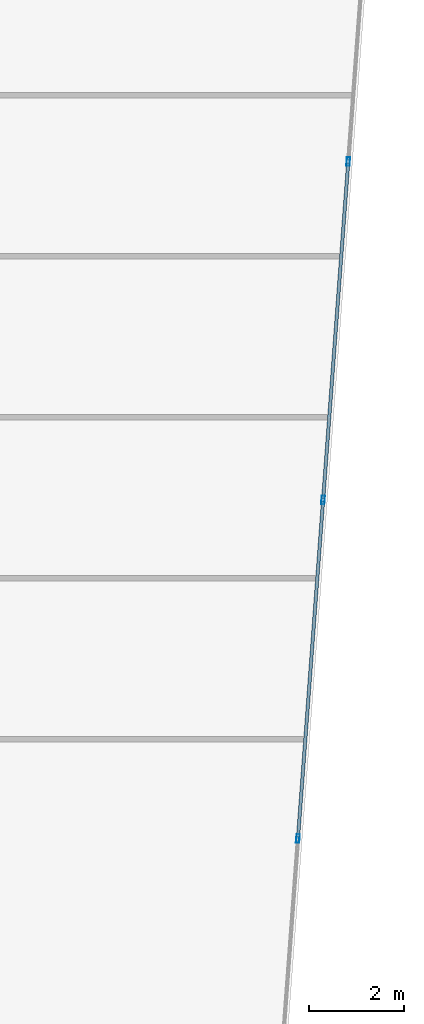
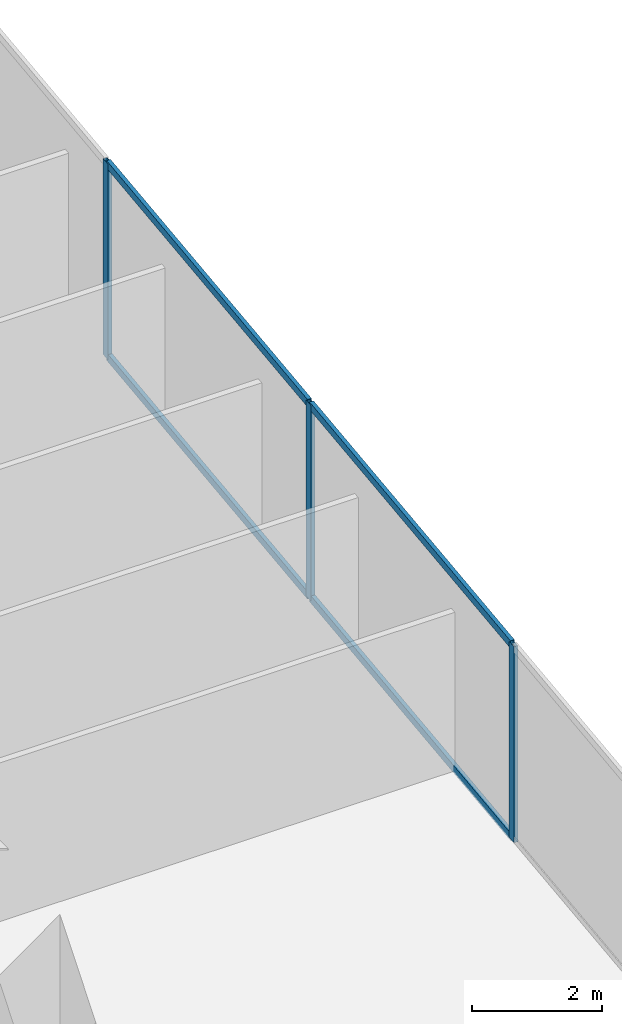
# One storey, part 16 of 30: 7 members, 1 element without a shape of its own.
"""IFC4 building model written with IfcOpenShell, lengths in metres."""

from ifc_helpers import new_model, si_unit, direction, frame, origin, origin_2d, place, context, subcontext, project, spatial, hollow_rectangle, extrude, source, transform, mapped, material, material_profile, profile_set, type_object, type_shapes, element, aggregate, save


model = new_model("IFC4")

# Units and contexts
model_context = context("Model", 3, precision=1e-05, world=origin(), true_north=direction((0.0, 1.0)))
body_context = subcontext(model_context, "Body", "Model", "MODEL_VIEW")
ifc_project = project(units=[si_unit("LENGTHUNIT", "METRE"), si_unit("AREAUNIT", "SQUARE_METRE"), si_unit("VOLUMEUNIT", "CUBIC_METRE"), si_unit("PLANEANGLEUNIT", "RADIAN"), si_unit("MASSUNIT", "GRAM", prefix="KILO")], contexts=[model_context])

# Site, building, storey
site_placement = place(None, origin())
site = spatial("IfcSite", under=ifc_project, at=site_placement, CompositionType="ELEMENT")
building_placement = place(site_placement, origin())
building = spatial("IfcBuilding", under=site, at=building_placement, Name="Krantzveldt Concourse Tower", CompositionType="ELEMENT")
storey_placement = place(building_placement, frame((0.0, 0.0, 52.64990234375)))
storey = spatial("IfcBuildingStorey", under=building, at=storey_placement, Name="L12", CompositionType="ELEMENT", Elevation=52.64990234375)

# Curtain wall, members
ifc_material = material(Name="Anodised aluminium 6063-T6", Category="aluminium")
curtain_wall_type = type_object("IfcCurtainWallType", Name="CW2", PredefinedType="USERDEFINED", material=ifc_material)
curtain_wall_placement = place(storey_placement, origin())
curtain_wall = element("IfcCurtainWall", 1, at=curtain_wall_placement, inside=storey, type_object=curtain_wall_type, Name="CW-L12-F07", ObjectType="UNITISED CURTAIN WALL", PredefinedType="USERDEFINED")
ifc_material_profile_1 = material_profile(ifc_material, hollow_rectangle(XDim=0.070068359375, YDim=0.139892578125, WallThickness=0.0048828125, at=origin_2d()), Name="Anodised aluminium 6063-T6", Category="aluminium")
ifc_profile_set_1 = profile_set([ifc_material_profile_1], Name="Anodised aluminium 6063-T6 - ALU-TRAN 140x70x5")
member_type_1 = type_object("IfcMemberType", Name="CW-TRN-150", PredefinedType="USERDEFINED", material=ifc_profile_set_1)
shared_shape_1 = source(origin(), body_context, "Body", "SweptSolid", [
    extrude(hollow_rectangle(XDim=0.070068359375, YDim=0.139892578125, WallThickness=0.0048828125, at=origin_2d()), origin(), (0.0, 0.0, 1.0), 7.0966796875),
])
type_shapes(member_type_1, [shared_shape_1])
member_1_placement = place(storey_placement, frame((60.31298828125, 17.741943359375, 0.03515625), z_axis=(0.074102314311, 0.997250644028, 0.0), x_axis=(-0.997250644028, 0.074102314311, 0.0)))
member_1 = element("IfcMember", 2, at=member_1_placement, type_object=member_type_1, Name="CW-Z12 transom 3.1", ObjectType="TRANSOM", PredefinedType="USERDEFINED", context=body_context, shape_type="MappedRepresentation", body=[
    mapped(shared_shape_1, transform((0.0, 0.0, 0.0), x_axis=(1.0, 0.0, 0.0), y_axis=(0.0, 1.0, 0.0), z_axis=(0.0, 0.0, 1.0), scale=1.0)),
])
member_2_placement = place(storey_placement, frame((60.31298828125, 17.741943359375, 3.635009765625), z_axis=(0.074102314311, 0.997250644028, 0.0), x_axis=(-0.997250644028, 0.074102314311, 0.0)))
member_2 = element("IfcMember", 3, at=member_2_placement, type_object=member_type_1, Name="CW-Z12 transom 3.2", ObjectType="TRANSOM", PredefinedType="USERDEFINED", context=body_context, shape_type="MappedRepresentation", body=[
    mapped(shared_shape_1, transform((0.0, 0.0, 0.0), x_axis=(1.0, 0.0, 0.0), y_axis=(0.0, 1.0, 0.0), z_axis=(0.0, 0.0, 1.0), scale=1.0)),
])
member_3_placement = place(storey_placement, frame((60.843994140625, 24.888916015625, 0.03515625), z_axis=(0.074136527461, 0.997248101174, 0.0), x_axis=(-0.997248101174, 0.074136527461, 0.0)))
member_3 = element("IfcMember", 4, at=member_3_placement, type_object=member_type_1, Name="CW-Z12 transom 4.1", ObjectType="TRANSOM", PredefinedType="USERDEFINED", context=body_context, shape_type="MappedRepresentation", body=[
    mapped(shared_shape_1, transform((0.0, 0.0, 0.0), x_axis=(1.0, 0.0, 0.0), y_axis=(0.0, 1.0, 0.0), z_axis=(0.0, 0.0, 1.0), scale=1.0)),
])
member_4_placement = place(storey_placement, frame((60.843994140625, 24.888916015625, 3.635009765625), z_axis=(0.074136527461, 0.997248101174, 0.0), x_axis=(-0.997248101174, 0.074136527461, 0.0)))
member_4 = element("IfcMember", 5, at=member_4_placement, type_object=member_type_1, Name="CW-Z12 transom 4.2", ObjectType="TRANSOM", PredefinedType="USERDEFINED", context=body_context, shape_type="MappedRepresentation", body=[
    mapped(shared_shape_1, transform((0.0, 0.0, 0.0), x_axis=(1.0, 0.0, 0.0), y_axis=(0.0, 1.0, 0.0), z_axis=(0.0, 0.0, 1.0), scale=1.0)),
])
ifc_material_profile_2 = material_profile(ifc_material, hollow_rectangle(XDim=0.070068359375, YDim=0.179931640625, WallThickness=0.0048828125, at=origin_2d()), Name="Anodised aluminium 6063-T6", Category="aluminium")
ifc_profile_set_2 = profile_set([ifc_material_profile_2], Name="Anodised aluminium 6063-T6 - ALU-MULL 180x70x5")
member_type_2 = type_object("IfcMemberType", Name="CW-MUL-180", PredefinedType="MULLION", material=ifc_profile_set_2)
shared_shape_2 = source(origin(), body_context, "Body", "SweptSolid", [
    extrude(hollow_rectangle(XDim=0.070068359375, YDim=0.179931640625, WallThickness=0.0048828125, at=origin_2d()), origin(), (0.0, 0.0, 1.0), 3.670166015625),
])
type_shapes(member_type_2, [shared_shape_2])
member_5_placement = place(storey_placement, frame((60.310302734375, 17.70703125, 0.0), z_axis=(0.0, 0.0, 1.0), x_axis=(-0.997250176902, 0.07410860051, 0.0)))
member_5 = element("IfcMember", 6, at=member_5_placement, type_object=member_type_2, Name="CW-Z12 mullion 3", PredefinedType="MULLION", context=body_context, shape_type="MappedRepresentation", body=[
    mapped(shared_shape_2, transform((0.0, 0.0, 0.0), x_axis=(1.0, 0.0, 0.0), y_axis=(0.0, 1.0, 0.0), z_axis=(0.0, 0.0, 1.0), scale=1.0)),
])
member_6_placement = place(storey_placement, frame((60.841552734375, 24.85400390625, 0.0), z_axis=(0.0, 0.0, 1.0), x_axis=(-0.997250176902, 0.07410860051, 0.0)))
member_6 = element("IfcMember", 7, at=member_6_placement, type_object=member_type_2, Name="CW-Z12 mullion 4", PredefinedType="MULLION", context=body_context, shape_type="MappedRepresentation", body=[
    mapped(shared_shape_2, transform((0.0, 0.0, 0.0), x_axis=(1.0, 0.0, 0.0), y_axis=(0.0, 1.0, 0.0), z_axis=(0.0, 0.0, 1.0), scale=1.0)),
])
member_7_placement = place(storey_placement, frame((61.37255859375, 32.0009765625, 0.0), z_axis=(0.0, 0.0, 1.0), x_axis=(-0.997250176902, 0.07410860051, 0.0)))
member_7 = element("IfcMember", 8, at=member_7_placement, type_object=member_type_2, Name="CW-Z12 mullion 5", PredefinedType="MULLION", context=body_context, shape_type="MappedRepresentation", body=[
    mapped(shared_shape_2, transform((0.0, 0.0, 0.0), x_axis=(1.0, 0.0, 0.0), y_axis=(0.0, 1.0, 0.0), z_axis=(0.0, 0.0, 1.0), scale=1.0)),
])
aggregate(curtain_wall, [member_5, member_6, member_7, member_1, member_2, member_3, member_4])

save(model, "model.ifc")
